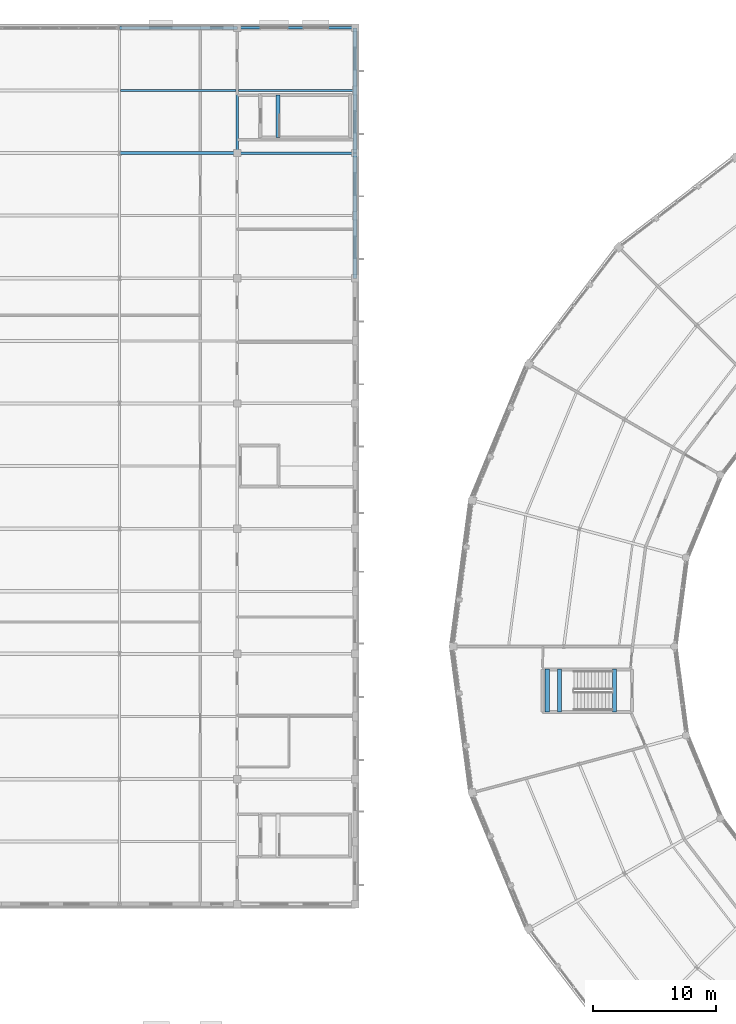
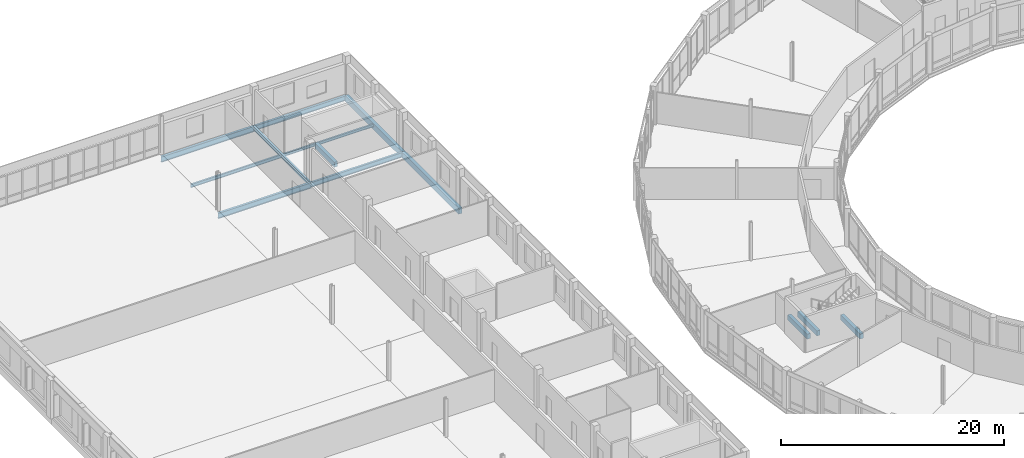
# One storey, part 73 of 185: 13 beams.
"""IFC4 building model written with IfcOpenShell, lengths in metres."""

from ifc_helpers import new_model, si_unit, direction, frame, origin, origin_2d, place, context, subcontext, project, spatial, rectangle, i_section, extrude, material, material_profile, profile_set, type_object, element, save


model = new_model("IFC4")

# Units and contexts
model_context = context("Model", 3, precision=1e-05, world=origin(), true_north=direction((0.0, 1.0)))
body_context = subcontext(model_context, "Body", "Model", "MODEL_VIEW")
ifc_project = project(units=[si_unit("LENGTHUNIT", "METRE"), si_unit("AREAUNIT", "SQUARE_METRE"), si_unit("VOLUMEUNIT", "CUBIC_METRE"), si_unit("PLANEANGLEUNIT", "RADIAN"), si_unit("MASSUNIT", "GRAM", prefix="KILO")], contexts=[model_context])

# Site, building, storey
site_placement = place(None, origin())
site = spatial("IfcSite", under=ifc_project, at=site_placement, CompositionType="ELEMENT")
building_placement = place(site_placement, origin())
building = spatial("IfcBuilding", under=site, at=building_placement, Name="Vondelvale Polytechnic", CompositionType="ELEMENT")
storey_placement = place(building_placement, frame((0.0, 0.0, 9.60009765625)))
storey = spatial("IfcBuildingStorey", under=building, at=storey_placement, Name="L02", CompositionType="ELEMENT", Elevation=9.60009765625)

# Beams
ifc_material_1 = material(Name="Concrete N40 (f'c = 40 MPa)", Category="concrete")
ifc_material_profile_1 = material_profile(ifc_material_1, rectangle(XDim=0.35009765625, YDim=0.550048828125, at=origin_2d()), Name="RC-BM-350x550")
ifc_profile_set_1 = profile_set([ifc_material_profile_1], Name="Concrete N40 (f'c = 40 MPa)")
beam_type_1 = type_object("IfcBeamType", Name="BM-RC350x550", PredefinedType="BEAM", material=ifc_profile_set_1)
for number, where, z_axis, x_axis, name in (
    (1, (41.72509765625, 113.449951171875, -0.275146484375), (0.0, 1.0, 0.0), (-1.0, 0.0, 0.0), "L02 STHD B-06"),
    (2, (64.64990234375, 70.14990234375, 1.625), (0.0, -1.0, 0.0), (1.0, 0.0, 0.0), "L02 STLD B-06"),
    (3, (63.64990234375, 70.14990234375, 1.625), (0.0, -1.0, 0.0), (1.0, 0.0, 0.0), "L02 STLD B-06"),
    (4, (69.125, 70.14990234375, -0.275146484375), (0.0, -1.0, 0.0), (1.0, 0.0, 0.0), "L02 STHD B-06"),
):
    element("IfcBeam", number, at=place(storey_placement, frame(where, z_axis=z_axis, x_axis=x_axis)), inside=storey, type_object=beam_type_1, Name=name, PredefinedType="BEAM", context=body_context, shape_type="SweptSolid", body=[
        extrude(rectangle(XDim=0.35009765625, YDim=0.550048828125, at=origin_2d()), origin(), (0.0, 0.0, 1.0), 3.5),
    ])
ifc_material_2 = material(Name="Steel 300PLUS (fy = 300 MPa)", Category="steel")
ifc_material_profile_2 = material_profile(ifc_material_2, i_section(OverallWidth=0.18994140625, OverallDepth=0.45703125, WebThickness=0.009033203125, FlangeThickness=0.014404296875, FilletRadius=0.011474609375, at=origin_2d()), Name="460UB74.6")
ifc_profile_set_2 = profile_set([ifc_material_profile_2], Name="Steel 300PLUS (fy = 300 MPa)")
beam_type_2 = type_object("IfcBeamType", Name="BM-UB460", PredefinedType="BEAM", material=ifc_profile_set_2)
beam_1_placement = place(storey_placement, frame((38.39990234375, 112.199951171875, -0.508544921875), z_axis=(0.0, 1.0, 0.0), x_axis=(-1.0, 0.0, 0.0)))
element("IfcBeam", 5, at=beam_1_placement, inside=storey, type_object=beam_type_2, Name="L02 B B-13", PredefinedType="BEAM", context=body_context, shape_type="SweptSolid", body=[
    extrude(i_section(OverallWidth=0.18994140625, OverallDepth=0.45703125, WebThickness=0.009033203125, FlangeThickness=0.014404296875, FilletRadius=0.011474609375, at=origin_2d()), origin(), (0.0, 0.0, 1.0), 10.199951171875),
])
ifc_material_profile_3 = material_profile(ifc_material_2, i_section(OverallWidth=0.208984375, OverallDepth=0.528076171875, WebThickness=0.009521484375, FlangeThickness=0.01318359375, FilletRadius=0.013916015625, at=origin_2d()), Name="530UB82.0")
ifc_profile_set_3 = profile_set([ifc_material_profile_3], Name="Steel 300PLUS (fy = 300 MPa)")
beam_type_3 = type_object("IfcBeamType", Name="BM-UB530L", PredefinedType="BEAM", material=ifc_profile_set_3)
for number, where, z_axis, x_axis, name in (
    (6, (38.39990234375, 112.199951171875, -0.544189453125), (1.0, 0.0, 0.0), (0.0, 1.0, 0.0), "L02 B B-21"),
    (7, (38.39990234375, 122.39990234375, -0.544189453125), (1.0, 0.0, 0.0), (0.0, 1.0, 0.0), "L02 B B-21"),
):
    element("IfcBeam", number, at=place(storey_placement, frame(where, z_axis=z_axis, x_axis=x_axis)), inside=storey, type_object=beam_type_3, Name=name, PredefinedType="BEAM", context=body_context, shape_type="SweptSolid", body=[
        extrude(i_section(OverallWidth=0.208984375, OverallDepth=0.528076171875, WebThickness=0.009521484375, FlangeThickness=0.01318359375, FilletRadius=0.013916015625, at=origin_2d()), origin(), (0.0, 0.0, 1.0), 9.60009765625),
    ])
ifc_material_profile_4 = material_profile(ifc_material_2, i_section(OverallWidth=0.22802734375, OverallDepth=0.60205078125, WebThickness=0.010498046875, FlangeThickness=0.014892578125, FilletRadius=0.013916015625, at=origin_2d()), Name="610UB101")
ifc_profile_set_4 = profile_set([ifc_material_profile_4], Name="Steel 300PLUS (fy = 300 MPa)")
beam_type_4 = type_object("IfcBeamType", Name="BM-UB610", PredefinedType="BEAM", material=ifc_profile_set_4)
for number, where, z_axis, x_axis, name in (
    (8, (28.800048828125, 112.199951171875, -0.5810546875), (1.0, 0.0, 0.0), (0.0, 1.0, 0.0), "L02 B B-10"),
    (9, (28.800048828125, 122.39990234375, -0.5810546875), (1.0, 0.0, 0.0), (0.0, 1.0, 0.0), "L02 B B-10"),
):
    element("IfcBeam", number, at=place(storey_placement, frame(where, z_axis=z_axis, x_axis=x_axis)), inside=storey, type_object=beam_type_4, Name=name, PredefinedType="BEAM", context=body_context, shape_type="SweptSolid", body=[
        extrude(i_section(OverallWidth=0.22802734375, OverallDepth=0.60205078125, WebThickness=0.010498046875, FlangeThickness=0.014892578125, FilletRadius=0.013916015625, at=origin_2d()), origin(), (0.0, 0.0, 1.0), 9.599853515625),
    ])
ifc_material_profile_5 = material_profile(ifc_material_2, i_section(OverallWidth=0.1650390625, OverallDepth=0.303955078125, WebThickness=0.006103515625, FlangeThickness=0.01025390625, FilletRadius=0.011474609375, at=origin_2d()), Name="310UB40.4")
ifc_profile_set_5 = profile_set([ifc_material_profile_5], Name="Steel 300PLUS (fy = 300 MPa)")
beam_type_5 = type_object("IfcBeamType", Name="JST-UB310", PredefinedType="JOIST", material=ifc_profile_set_5)
beam_2_placement = place(storey_placement, frame((38.5, 117.300048828125, -0.43212890625), z_axis=(1.0, 0.0, 0.0), x_axis=(0.0, 1.0, 0.0)))
element("IfcBeam", 10, at=beam_2_placement, inside=storey, type_object=beam_type_5, Name="L02 J J-05", PredefinedType="JOIST", context=body_context, shape_type="SweptSolid", body=[
    extrude(i_section(OverallWidth=0.1650390625, OverallDepth=0.303955078125, WebThickness=0.006103515625, FlangeThickness=0.01025390625, FilletRadius=0.011474609375, at=origin_2d()), origin(), (0.0, 0.0, 1.0), 9.320068359375),
])
ifc_material_profile_6 = material_profile(ifc_material_2, i_section(OverallWidth=0.1708984375, OverallDepth=0.35595703125, WebThickness=0.00732421875, FlangeThickness=0.011474609375, FilletRadius=0.011474609375, at=origin_2d()), Name="360UB50.7")
ifc_profile_set_6 = profile_set([ifc_material_profile_6], Name="Steel 300PLUS (fy = 300 MPa)")
beam_type_6 = type_object("IfcBeamType", Name="JST-UB360", PredefinedType="JOIST", material=ifc_profile_set_6)
beam_3_placement = place(storey_placement, frame((28.89990234375, 117.300048828125, -0.4580078125), z_axis=(1.0, 0.0, 0.0), x_axis=(0.0, 1.0, 0.0)))
element("IfcBeam", 11, at=beam_3_placement, inside=storey, type_object=beam_type_6, Name="L02 J J-04", PredefinedType="JOIST", context=body_context, shape_type="SweptSolid", body=[
    extrude(i_section(OverallWidth=0.1708984375, OverallDepth=0.35595703125, WebThickness=0.00732421875, FlangeThickness=0.011474609375, FilletRadius=0.011474609375, at=origin_2d()), origin(), (0.0, 0.0, 1.0), 9.400146484375),
])
ifc_material_3 = material(Name="Precast concrete N40 (f'c = 40 MPa)", Category="concrete")
ifc_material_profile_7 = material_profile(ifc_material_3, rectangle(XDim=0.35009765625, YDim=0.64990234375, at=origin_2d()), Name="RC-SPN-350x650")
ifc_profile_set_7 = profile_set([ifc_material_profile_7], Name="Precast concrete N40 (f'c = 40 MPa)")
beam_type_7 = type_object("IfcBeamType", Name="SPN-PRE350x650", PredefinedType="SPANDREL", material=ifc_profile_set_7)
for number, where, z_axis, x_axis, name in (
    (12, (48.0, 102.0, -0.60498046875), (0.0, 1.0, 0.0), (-1.0, 0.0, 0.0), "L02 B SP-02"),
    (13, (48.0, 112.199951171875, -0.60498046875), (0.0, 1.0, 0.0), (-1.0, 0.0, 0.0), "L02 B SP-02"),
):
    element("IfcBeam", number, at=place(storey_placement, frame(where, z_axis=z_axis, x_axis=x_axis)), inside=storey, type_object=beam_type_7, Name=name, PredefinedType="SPANDREL", context=body_context, shape_type="SweptSolid", body=[
        extrude(rectangle(XDim=0.35009765625, YDim=0.64990234375, at=origin_2d()), origin(), (0.0, 0.0, 1.0), 10.199951171875),
    ])

save(model, "model.ifc")
